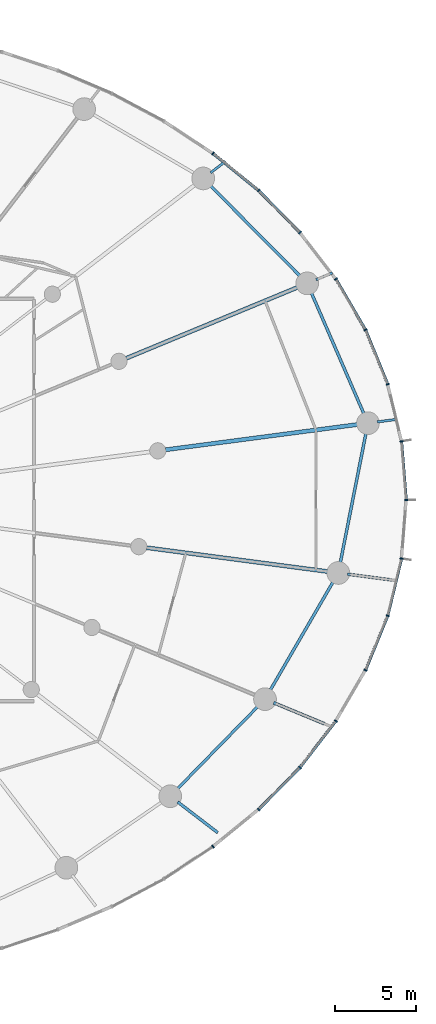
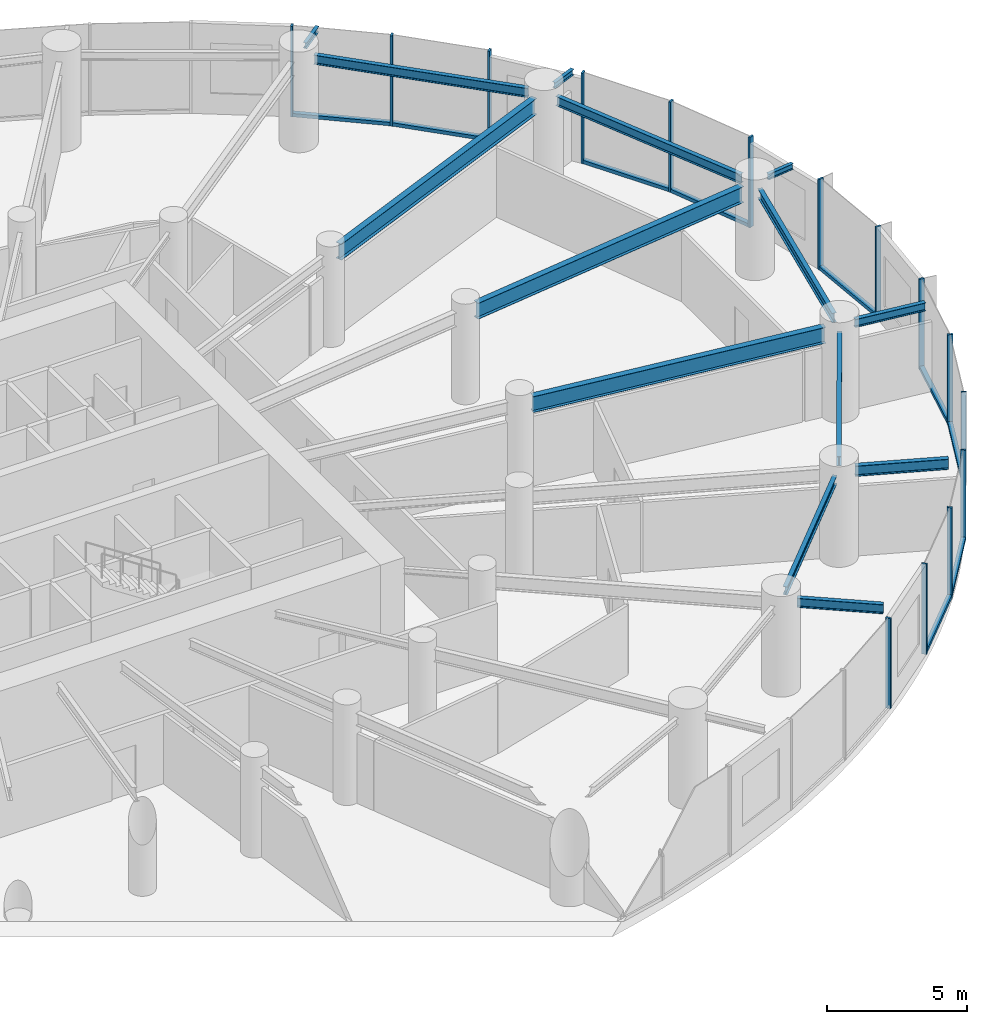
# One storey, part 8 of 19: 24 members, 14 beams, 4 elements without a shape of their own.
"""IFC4 building model written with IfcOpenShell, lengths in metres."""

from ifc_helpers import new_model, si_unit, direction, frame, origin, origin_2d, place, context, subcontext, project, spatial, rectangle, i_section, extrude, source, transform, mapped, material, layer, layer_set, material_profile, profile_set, type_object, element, aggregate, save


model = new_model("IFC4")

# Units and contexts
model_context = context("Model", 3, precision=1e-05, world=origin(), true_north=direction((0.0, 1.0)))
body_context = subcontext(model_context, "Body", "Model", "MODEL_VIEW")
ifc_project = project(units=[si_unit("LENGTHUNIT", "METRE"), si_unit("AREAUNIT", "SQUARE_METRE"), si_unit("VOLUMEUNIT", "CUBIC_METRE"), si_unit("PLANEANGLEUNIT", "RADIAN"), si_unit("MASSUNIT", "GRAM", prefix="KILO")], contexts=[model_context])

# Site, building, storey
site_placement = place(None, origin())
site = spatial("IfcSite", under=ifc_project, at=site_placement, CompositionType="ELEMENT")
building_placement = place(site_placement, origin())
building = spatial("IfcBuilding", under=site, at=building_placement, Name="Spindrift Exchange Tower", CompositionType="ELEMENT")
storey_placement = place(building_placement, frame((0.0, 0.0, 22.60009765625)))
storey = spatial("IfcBuildingStorey", under=building, at=storey_placement, Name="L05", CompositionType="ELEMENT", Elevation=22.60009765625)

# Beams
ifc_material_1 = material(Name="Steel Grade 300", Category="steel")
ifc_material_profile_1 = material_profile(ifc_material_1, i_section(OverallWidth=0.25, OverallDepth=0.699951171875, WebThickness=0.008056640625, FlangeThickness=0.011962890625, at=origin_2d()), Name="700WB115")
ifc_profile_set_1 = profile_set([ifc_material_profile_1], Name="Steel Grade 300")
beam_type_1 = type_object("IfcBeamType", Name="Floor Beam 700WB115 Steel Grade 300", PredefinedType="BEAM", material=ifc_profile_set_1)
shared_shape_1 = source(origin(), body_context, "Body", "SweptSolid", [
    extrude(i_section(OverallWidth=0.25, OverallDepth=0.699951171875, WebThickness=0.008056640625, FlangeThickness=0.011962890625, at=origin_2d()), origin(), (0.0, 0.0, 1.0), 12.00830078125),
])
beam_1_placement = place(storey_placement, frame((75.509765625, 51.09521484375, 3.599853515625), z_axis=(0.991444950947, 0.130525511844, 0.0), x_axis=(-0.130525511844, 0.991444950947, 0.0)))
element("IfcBeam", 1, at=beam_1_placement, inside=storey, type_object=beam_type_1, Name="L05 radial beam R01B", PredefinedType="BEAM", context=body_context, shape_type="MappedRepresentation", body=[
    mapped(shared_shape_1, transform((0.0, 0.0, 0.0), scale=1.0)),
])
shared_shape_2 = source(origin(), body_context, "Body", "SweptSolid", [
    extrude(i_section(OverallWidth=0.25, OverallDepth=0.699951171875, WebThickness=0.008056640625, FlangeThickness=0.011962890625, at=origin_2d()), origin(), (0.0, 0.0, 1.0), 11.505859375),
])
beam_2_placement = place(storey_placement, frame((73.082763671875, 56.73291015625, 3.599853515625), z_axis=(0.923881578419, 0.38267849307, 0.0), x_axis=(-0.38267849307, 0.923881578419, 0.0)))
element("IfcBeam", 2, at=beam_2_placement, inside=storey, type_object=beam_type_1, Name="L05 radial beam R02B", PredefinedType="BEAM", context=body_context, shape_type="MappedRepresentation", body=[
    mapped(shared_shape_2, transform((0.0, 0.0, 0.0), scale=1.0)),
])
shared_shape_3 = source(origin(), body_context, "Body", "SweptSolid", [
    extrude(i_section(OverallWidth=0.25, OverallDepth=0.699951171875, WebThickness=0.008056640625, FlangeThickness=0.011962890625, at=origin_2d()), origin(), (0.0, 0.0, 1.0), 11.34423828125),
])
beam_3_placement = place(storey_placement, frame((74.339111328125, 45.05908203125, 3.599853515625), z_axis=(0.991444770187, -0.130526884848, 0.0), x_axis=(0.130526884848, 0.991444770187, 0.0)))
element("IfcBeam", 3, at=beam_3_placement, inside=storey, type_object=beam_type_1, Name="L05 radial beam R24B", PredefinedType="BEAM", context=body_context, shape_type="MappedRepresentation", body=[
    mapped(shared_shape_3, transform((0.0, 0.0, 0.0), scale=1.0)),
])
ifc_material_profile_2 = material_profile(ifc_material_1, i_section(OverallWidth=0.177978515625, OverallDepth=0.406005859375, WebThickness=0.0078125, FlangeThickness=0.0126953125, FilletRadius=0.013916015625, at=origin_2d()), Name="410UB59.7")
ifc_profile_set_2 = profile_set([ifc_material_profile_2], Name="Steel Grade 300")
beam_type_2 = type_object("IfcBeamType", Name="Edge Beam 410UB59.7 Steel Grade 300", PredefinedType="SPANDREL", material=ifc_profile_set_2)
shared_shape_4 = source(origin(), body_context, "Body", "SweptSolid", [
    extrude(i_section(OverallWidth=0.177978515625, OverallDepth=0.406005859375, WebThickness=0.0078125, FlangeThickness=0.0126953125, FilletRadius=0.013916015625, at=origin_2d()), origin(), (0.0, 0.0, 1.0), 8.23681640625),
])
beam_4_placement = place(storey_placement, frame((87.759521484375, 53.270263671875, 3.746826171875), z_axis=(-0.398186298756, 0.91730456855, 0.0), x_axis=(-0.91730456855, -0.398186298756, 0.0)))
element("IfcBeam", 4, at=beam_4_placement, inside=storey, type_object=beam_type_2, Name="L05 edge beam E01", PredefinedType="SPANDREL", context=body_context, shape_type="MappedRepresentation", body=[
    mapped(shared_shape_4, transform((0.0, 0.0, 0.0), scale=1.0)),
])
shared_shape_5 = source(origin(), body_context, "Body", "SweptSolid", [
    extrude(i_section(OverallWidth=0.177978515625, OverallDepth=0.406005859375, WebThickness=0.0078125, FlangeThickness=0.0126953125, FilletRadius=0.013916015625, at=origin_2d()), origin(), (0.0, 0.0, 1.0), 7.947509765625),
])
beam_5_placement = place(storey_placement, frame((83.840576171875, 61.769775390625, 3.746826171875), z_axis=(-0.704197895271, 0.710003749494, 0.0), x_axis=(-0.710003749494, -0.704197895271, 0.0)))
element("IfcBeam", 5, at=beam_5_placement, inside=storey, type_object=beam_type_2, Name="L05 edge beam E02", PredefinedType="SPANDREL", context=body_context, shape_type="MappedRepresentation", body=[
    mapped(shared_shape_5, transform((0.0, 0.0, 0.0), scale=1.0)),
])
ifc_material_profile_3 = material_profile(ifc_material_1, i_section(OverallWidth=0.172119140625, OverallDepth=0.35888671875, WebThickness=0.008056640625, FlangeThickness=0.012939453125, FilletRadius=0.013916015625, at=origin_2d()), Name="360UB56.7")
ifc_profile_set_3 = profile_set([ifc_material_profile_3], Name="Steel Grade 300")
beam_type_3 = type_object("IfcBeamType", Name="Edge Beam 360UB56.7 Steel Grade 300", PredefinedType="SPANDREL", material=ifc_profile_set_3)
shared_shape_6 = source(origin(), body_context, "Body", "SweptSolid", [
    extrude(i_section(OverallWidth=0.172119140625, OverallDepth=0.35888671875, WebThickness=0.008056640625, FlangeThickness=0.012939453125, FilletRadius=0.013916015625, at=origin_2d()), origin(), (0.0, 0.0, 1.0), 7.2041015625),
])
beam_6_placement = place(storey_placement, frame((76.205810546875, 30.152099609375, 3.7705078125), z_axis=(0.698703626006, 0.715411240481, 0.0), x_axis=(-0.715411240481, 0.698703626006, 0.0)))
element("IfcBeam", 6, at=beam_6_placement, inside=storey, type_object=beam_type_3, Name="L05 edge beam E22", PredefinedType="SPANDREL", context=body_context, shape_type="MappedRepresentation", body=[
    mapped(shared_shape_6, transform((0.0, 0.0, 0.0), scale=1.0)),
])
shared_shape_7 = source(origin(), body_context, "Body", "SweptSolid", [
    extrude(i_section(OverallWidth=0.177978515625, OverallDepth=0.406005859375, WebThickness=0.0078125, FlangeThickness=0.0126953125, FilletRadius=0.013916015625, at=origin_2d()), origin(), (0.0, 0.0, 1.0), 7.837646484375),
])
beam_7_placement = place(storey_placement, frame((81.935791015625, 36.222412109375, 3.746826171875), z_axis=(0.50198145655, 0.864878382942, 0.0), x_axis=(-0.864878382942, 0.50198145655, 0.0)))
element("IfcBeam", 7, at=beam_7_placement, inside=storey, type_object=beam_type_2, Name="L05 edge beam E23", PredefinedType="SPANDREL", context=body_context, shape_type="MappedRepresentation", body=[
    mapped(shared_shape_7, transform((0.0, 0.0, 0.0), scale=1.0)),
])
shared_shape_8 = source(origin(), body_context, "Body", "SweptSolid", [
    extrude(i_section(OverallWidth=0.177978515625, OverallDepth=0.406005859375, WebThickness=0.0078125, FlangeThickness=0.0126953125, FilletRadius=0.013916015625, at=origin_2d()), origin(), (0.0, 0.0, 1.0), 8.2548828125),
])
beam_8_placement = place(storey_placement, frame((86.27392578125, 44.071533203125, 3.746826171875), z_axis=(0.194278723288, 0.9809463684, 0.0), x_axis=(-0.9809463684, 0.194278723288, 0.0)))
element("IfcBeam", 8, at=beam_8_placement, inside=storey, type_object=beam_type_2, Name="L05 edge beam E24", PredefinedType="SPANDREL", context=body_context, shape_type="MappedRepresentation", body=[
    mapped(shared_shape_8, transform((0.0, 0.0, 0.0), scale=1.0)),
])
ifc_material_profile_4 = material_profile(ifc_material_1, i_section(OverallWidth=0.14599609375, OverallDepth=0.251953125, WebThickness=0.006103515625, FlangeThickness=0.008544921875, FilletRadius=0.011962890625, at=origin_2d()), Name="250UB31.4")
ifc_profile_set_4 = profile_set([ifc_material_profile_4], Name="Steel Grade 300")
beam_type_4 = type_object("IfcBeamType", Name="Cantilever Beam 250UB31.4 Steel Grade 300", PredefinedType="BEAM", material=ifc_profile_set_4)
shared_shape_9 = source(origin(), body_context, "Body", "SweptSolid", [
    extrude(i_section(OverallWidth=0.14599609375, OverallDepth=0.251953125, WebThickness=0.006103515625, FlangeThickness=0.008544921875, FilletRadius=0.011962890625, at=origin_2d()), origin(), (0.0, 0.0, 1.0), 1.11181640625),
])
beam_9_placement = place(storey_placement, frame((88.5654296875, 52.81396484375, 3.823974609375), z_axis=(0.991456537653, 0.130437471399, 0.0), x_axis=(-0.130437471399, 0.991456537653, 0.0)))
element("IfcBeam", 9, at=beam_9_placement, inside=storey, type_object=beam_type_4, Name="L05 cantilever beam R01T", PredefinedType="BEAM", context=body_context, shape_type="MappedRepresentation", body=[
    mapped(shared_shape_9, transform((0.0, 0.0, 0.0), scale=1.0)),
])
shared_shape_10 = source(origin(), body_context, "Body", "SweptSolid", [
    extrude(i_section(OverallWidth=0.14599609375, OverallDepth=0.251953125, WebThickness=0.006103515625, FlangeThickness=0.008544921875, FilletRadius=0.011962890625, at=origin_2d()), origin(), (0.0, 0.0, 1.0), 1.09375),
])
beam_10_placement = place(storey_placement, frame((84.78466796875, 61.579833984375, 3.823974609375), z_axis=(0.92391345962, 0.382601514808, 0.0), x_axis=(-0.382601514808, 0.92391345962, 0.0)))
element("IfcBeam", 10, at=beam_10_placement, inside=storey, type_object=beam_type_4, Name="L05 cantilever beam R02T", PredefinedType="BEAM", context=body_context, shape_type="MappedRepresentation", body=[
    mapped(shared_shape_10, transform((0.0, 0.0, 0.0), scale=1.0)),
])
shared_shape_11 = source(origin(), body_context, "Body", "SweptSolid", [
    extrude(i_section(OverallWidth=0.14599609375, OverallDepth=0.251953125, WebThickness=0.006103515625, FlangeThickness=0.008544921875, FilletRadius=0.011962890625, at=origin_2d()), origin(), (0.0, 0.0, 1.0), 1.1494140625),
])
beam_11_placement = place(storey_placement, frame((78.295654296875, 68.177490234375, 3.823974609375), z_axis=(0.793349883142, 0.608765934427, 0.0), x_axis=(-0.608765934427, 0.793349883142, 0.0)))
element("IfcBeam", 11, at=beam_11_placement, inside=storey, type_object=beam_type_4, Name="L05 cantilever beam R03T", PredefinedType="BEAM", context=body_context, shape_type="MappedRepresentation", body=[
    mapped(shared_shape_11, transform((0.0, 0.0, 0.0), scale=1.0)),
])
ifc_material_profile_5 = material_profile(ifc_material_1, i_section(OverallWidth=0.177978515625, OverallDepth=0.406005859375, WebThickness=0.0078125, FlangeThickness=0.0126953125, FilletRadius=0.013916015625, at=origin_2d()), Name="410UB59.7")
ifc_profile_set_5 = profile_set([ifc_material_profile_5], Name="Steel Grade 300")
beam_type_5 = type_object("IfcBeamType", Name="Cantilever Beam 410UB59.7 Steel Grade 300", PredefinedType="BEAM", material=ifc_profile_set_5)
shared_shape_12 = source(origin(), body_context, "Body", "SweptSolid", [
    extrude(i_section(OverallWidth=0.177978515625, OverallDepth=0.406005859375, WebThickness=0.0078125, FlangeThickness=0.0126953125, FilletRadius=0.013916015625, at=origin_2d()), origin(), (0.0, 0.0, 1.0), 3.114501953125),
])
beam_12_placement = place(storey_placement, frame((76.2607421875, 29.384033203125, 3.746826171875), z_axis=(0.793395606954, -0.608706342061, 0.0), x_axis=(0.608706342061, 0.793395606954, 0.0)))
element("IfcBeam", 12, at=beam_12_placement, inside=storey, type_object=beam_type_5, Name="L05 cantilever beam R22T", PredefinedType="BEAM", context=body_context, shape_type="MappedRepresentation", body=[
    mapped(shared_shape_12, transform((0.0, 0.0, 0.0), scale=1.0)),
])
ifc_material_profile_6 = material_profile(ifc_material_1, i_section(OverallWidth=0.18994140625, OverallDepth=0.45703125, WebThickness=0.009033203125, FlangeThickness=0.014404296875, FilletRadius=0.013916015625, at=origin_2d()), Name="460UB74.6")
ifc_profile_set_6 = profile_set([ifc_material_profile_6], Name="Steel Grade 300")
beam_type_6 = type_object("IfcBeamType", Name="Cantilever Beam 460UB74.6 Steel Grade 300", PredefinedType="BEAM", material=ifc_profile_set_6)
shared_shape_13 = source(origin(), body_context, "Body", "SweptSolid", [
    extrude(i_section(OverallWidth=0.18994140625, OverallDepth=0.45703125, WebThickness=0.009033203125, FlangeThickness=0.014404296875, FilletRadius=0.013916015625, at=origin_2d()), origin(), (0.0, 0.0, 1.0), 3.376953125),
])
beam_13_placement = place(storey_placement, frame((82.180419921875, 35.498779296875, 3.721435546875), z_axis=(0.923885542114, -0.382668923578, 0.0), x_axis=(0.382668923578, 0.923885542114, 0.0)))
element("IfcBeam", 13, at=beam_13_placement, inside=storey, type_object=beam_type_6, Name="L05 cantilever beam R23T", PredefinedType="BEAM", context=body_context, shape_type="MappedRepresentation", body=[
    mapped(shared_shape_13, transform((0.0, 0.0, 0.0), scale=1.0)),
])
ifc_material_profile_7 = material_profile(ifc_material_1, i_section(OverallWidth=0.172119140625, OverallDepth=0.35888671875, WebThickness=0.008056640625, FlangeThickness=0.012939453125, FilletRadius=0.013916015625, at=origin_2d()), Name="360UB56.7")
ifc_profile_set_7 = profile_set([ifc_material_profile_7], Name="Steel Grade 300")
beam_type_7 = type_object("IfcBeamType", Name="Cantilever Beam 360UB56.7 Steel Grade 300", PredefinedType="BEAM", material=ifc_profile_set_7)
shared_shape_14 = source(origin(), body_context, "Body", "SweptSolid", [
    extrude(i_section(OverallWidth=0.172119140625, OverallDepth=0.35888671875, WebThickness=0.008056640625, FlangeThickness=0.012939453125, FilletRadius=0.013916015625, at=origin_2d()), origin(), (0.0, 0.0, 1.0), 2.73486328125),
])
beam_14_placement = place(storey_placement, frame((86.736083984375, 43.427001953125, 3.7705078125), z_axis=(0.991446393615, -0.130514553166, 0.0), x_axis=(0.130514553166, 0.991446393615, 0.0)))
element("IfcBeam", 14, at=beam_14_placement, inside=storey, type_object=beam_type_7, Name="L05 cantilever beam R24T", PredefinedType="BEAM", context=body_context, shape_type="MappedRepresentation", body=[
    mapped(shared_shape_14, transform((0.0, 0.0, 0.0), scale=1.0)),
])

# Curtain wall, members
ifc_material_2 = material(Name="Fritted laminated glass with bronze frame", Category="glass")
ifc_layer = layer(ifc_material_2, 0.199951171875)
ifc_layer_set = layer_set([ifc_layer], Name="ZONE 1 BRONZE FRITTED WALL")
curtain_wall_type = type_object("IfcCurtainWallType", Name="ZONE 1 BRONZE FRITTED WALL", PredefinedType="NOTDEFINED", material=ifc_layer_set)
curtain_wall_1_placement = place(storey_placement, origin())
curtain_wall_1 = element("IfcCurtainWall", 15, at=curtain_wall_1_placement, inside=storey, type_object=curtain_wall_type, Name="L05 Zone 1 Bronze Fritted Wall run 1", PredefinedType="NOTDEFINED")
ifc_material_3 = material(Name="Bronze anodised aluminium", Category="aluminium")
ifc_material_profile_8 = material_profile(ifc_material_3, rectangle(XDim=0.080078125, YDim=0.199951171875, at=origin_2d()), Name="ZONE 1 BRONZE FRITTED WALL MULLION 80X200")
ifc_profile_set_8 = profile_set([ifc_material_profile_8], Name="Bronze anodised aluminium")
member_type_1 = type_object("IfcMemberType", Name="ZONE 1 BRONZE FRITTED WALL MULLION 80X200", PredefinedType="MULLION", material=ifc_profile_set_8)
shared_shape_15 = source(origin(), body_context, "Body", "SweptSolid", [
    extrude(rectangle(XDim=0.080078125, YDim=0.199951171875, at=origin_2d()), origin(), (0.0, 0.0, 1.0), 3.949951171875),
])
member_1_placement = place(storey_placement, frame((90.35009765625, 48.0, 0.0), z_axis=(0.0, 0.0, 1.0), x_axis=(0.0, 1.0, 0.0)))
member_1 = element("IfcMember", 16, at=member_1_placement, type_object=member_type_1, Name="L05 mullion CW-1.1", PredefinedType="MULLION", context=body_context, shape_type="MappedRepresentation", body=[
    mapped(shared_shape_15, transform((0.0, 0.0, 0.0), scale=1.0)),
])
member_2_placement = place(storey_placement, frame((90.061279296875, 51.61279296875, 0.0), z_axis=(0.0, 0.0, 1.0), x_axis=(-0.157610200296, 0.987501404942, 0.0)))
member_2 = element("IfcMember", 17, at=member_2_placement, type_object=member_type_1, Name="L05 mullion CW-1.2", PredefinedType="MULLION", context=body_context, shape_type="MappedRepresentation", body=[
    mapped(shared_shape_15, transform((0.0, 0.0, 0.0), scale=1.0)),
])
member_3_placement = place(storey_placement, frame((89.2109375, 55.13623046875, 0.0), z_axis=(0.0, 0.0, 1.0), x_axis=(-0.306991040816, 0.951712404489, 0.0)))
member_3 = element("IfcMember", 18, at=member_3_placement, type_object=member_type_1, Name="L05 mullion CW-1.3", PredefinedType="MULLION", context=body_context, shape_type="MappedRepresentation", body=[
    mapped(shared_shape_15, transform((0.0, 0.0, 0.0), scale=1.0)),
])
member_4_placement = place(storey_placement, frame((87.842041015625, 58.492919921875, 0.0), z_axis=(0.0, 0.0, 1.0), x_axis=(-0.441893107897, 0.897067712714, 0.0)))
member_4 = element("IfcMember", 19, at=member_4_placement, type_object=member_type_1, Name="L05 mullion CW-1.4", PredefinedType="MULLION", context=body_context, shape_type="MappedRepresentation", body=[
    mapped(shared_shape_15, transform((0.0, 0.0, 0.0), scale=1.0)),
])
member_5_placement = place(storey_placement, frame((86.014892578125, 61.624267578125, 0.0), z_axis=(0.0, 0.0, 1.0), x_axis=(-0.5590392146, 0.829141216283, 0.0)))
member_5 = element("IfcMember", 20, at=member_5_placement, type_object=member_type_1, Name="L05 mullion CW-1.5", PredefinedType="MULLION", context=body_context, shape_type="MappedRepresentation", body=[
    mapped(shared_shape_15, transform((0.0, 0.0, 0.0), scale=1.0)),
])
member_6_placement = place(storey_placement, frame((83.796875, 64.492431640625, 0.0), z_axis=(0.0, 0.0, 1.0), x_axis=(-0.657861656686, 0.753138792429, 0.0)))
member_6 = element("IfcMember", 21, at=member_6_placement, type_object=member_type_1, Name="L05 mullion CW-1.6", PredefinedType="MULLION", context=body_context, shape_type="MappedRepresentation", body=[
    mapped(shared_shape_15, transform((0.0, 0.0, 0.0), scale=1.0)),
])

curtain_wall_2_placement = place(storey_placement, origin())
curtain_wall_2 = element("IfcCurtainWall", 22, at=curtain_wall_2_placement, inside=storey, type_object=curtain_wall_type, Name="L05 Zone 1 Bronze Fritted Wall run 2", PredefinedType="NOTDEFINED")
member_7_placement = place(storey_placement, frame((81.252685546875, 67.076416015625, 0.0), z_axis=(0.0, 0.0, 1.0), x_axis=(-0.739527857689, 0.673125952331, 0.0)))
member_7 = element("IfcMember", 23, at=member_7_placement, type_object=member_type_1, Name="L05 mullion CW-1.7", PredefinedType="MULLION", context=body_context, shape_type="MappedRepresentation", body=[
    mapped(shared_shape_15, transform((0.0, 0.0, 0.0), scale=1.0)),
])
member_8_placement = place(storey_placement, frame((78.441162109375, 69.3671875, 0.0), z_axis=(0.0, 0.0, 1.0), x_axis=(-0.806035251787, 0.591867529838, 0.0)))
member_8 = element("IfcMember", 24, at=member_8_placement, type_object=member_type_1, Name="L05 mullion CW-1.8", PredefinedType="MULLION", context=body_context, shape_type="MappedRepresentation", body=[
    mapped(shared_shape_15, transform((0.0, 0.0, 0.0), scale=1.0)),
])

curtain_wall_3_placement = place(storey_placement, origin())
curtain_wall_3 = element("IfcCurtainWall", 25, at=curtain_wall_3_placement, inside=storey, type_object=curtain_wall_type, Name="L05 Zone 1 Bronze Fritted Wall run 9", PredefinedType="NOTDEFINED")
member_9_placement = place(storey_placement, frame((78.441162109375, 26.6328125, 0.0), z_axis=(0.0, 0.0, 1.0), x_axis=(0.806035251787, 0.591867529838, 0.0)))
member_9 = element("IfcMember", 26, at=member_9_placement, type_object=member_type_1, Name="L05 mullion CW-1.53", PredefinedType="MULLION", context=body_context, shape_type="MappedRepresentation", body=[
    mapped(shared_shape_15, transform((0.0, 0.0, 0.0), scale=1.0)),
])
member_10_placement = place(storey_placement, frame((81.252685546875, 28.923583984375, 0.0), z_axis=(0.0, 0.0, 1.0), x_axis=(0.739527857689, 0.673125952331, 0.0)))
member_10 = element("IfcMember", 27, at=member_10_placement, type_object=member_type_1, Name="L05 mullion CW-1.54", PredefinedType="MULLION", context=body_context, shape_type="MappedRepresentation", body=[
    mapped(shared_shape_15, transform((0.0, 0.0, 0.0), scale=1.0)),
])

curtain_wall_4_placement = place(storey_placement, origin())
curtain_wall_4 = element("IfcCurtainWall", 28, at=curtain_wall_4_placement, inside=storey, type_object=curtain_wall_type, Name="L05 Zone 1 Bronze Fritted Wall run 10", PredefinedType="NOTDEFINED")
member_11_placement = place(storey_placement, frame((83.796875, 31.507568359375, 0.0), z_axis=(0.0, 0.0, 1.0), x_axis=(0.657861656686, 0.753138792429, 0.0)))
member_11 = element("IfcMember", 29, at=member_11_placement, type_object=member_type_1, Name="L05 mullion CW-1.55", PredefinedType="MULLION", context=body_context, shape_type="MappedRepresentation", body=[
    mapped(shared_shape_15, transform((0.0, 0.0, 0.0), scale=1.0)),
])
member_12_placement = place(storey_placement, frame((86.014892578125, 34.375732421875, 0.0), z_axis=(0.0, 0.0, 1.0), x_axis=(0.5590392146, 0.829141216283, 0.0)))
member_12 = element("IfcMember", 30, at=member_12_placement, type_object=member_type_1, Name="L05 mullion CW-1.56", PredefinedType="MULLION", context=body_context, shape_type="MappedRepresentation", body=[
    mapped(shared_shape_15, transform((0.0, 0.0, 0.0), scale=1.0)),
])
member_13_placement = place(storey_placement, frame((87.842041015625, 37.507080078125, 0.0), z_axis=(0.0, 0.0, 1.0), x_axis=(0.441893107897, 0.897067712714, 0.0)))
member_13 = element("IfcMember", 31, at=member_13_placement, type_object=member_type_1, Name="L05 mullion CW-1.57", PredefinedType="MULLION", context=body_context, shape_type="MappedRepresentation", body=[
    mapped(shared_shape_15, transform((0.0, 0.0, 0.0), scale=1.0)),
])
member_14_placement = place(storey_placement, frame((89.2109375, 40.86376953125, 0.0), z_axis=(0.0, 0.0, 1.0), x_axis=(0.306991040816, 0.951712404489, 0.0)))
member_14 = element("IfcMember", 32, at=member_14_placement, type_object=member_type_1, Name="L05 mullion CW-1.58", PredefinedType="MULLION", context=body_context, shape_type="MappedRepresentation", body=[
    mapped(shared_shape_15, transform((0.0, 0.0, 0.0), scale=1.0)),
])
member_15_placement = place(storey_placement, frame((90.061279296875, 44.38720703125, 0.0), z_axis=(0.0, 0.0, 1.0), x_axis=(0.157610200296, 0.987501404942, 0.0)))
member_15 = element("IfcMember", 33, at=member_15_placement, type_object=member_type_1, Name="L05 mullion CW-1.59", PredefinedType="MULLION", context=body_context, shape_type="MappedRepresentation", body=[
    mapped(shared_shape_15, transform((0.0, 0.0, 0.0), scale=1.0)),
])

# Member
ifc_material_profile_9 = material_profile(ifc_material_3, rectangle(XDim=0.179931640625, YDim=0.14990234375, at=origin_2d()), Name="ZONE 1 BRONZE FRITTED WALL TRANSOM 180X150")
ifc_profile_set_9 = profile_set([ifc_material_profile_9], Name="Bronze anodised aluminium")
member_type_2 = type_object("IfcMemberType", Name="ZONE 1 BRONZE FRITTED WALL TRANSOM 180X150", PredefinedType="USERDEFINED", material=ifc_profile_set_9)
shared_shape_16 = source(origin(), body_context, "Body", "SweptSolid", [
    extrude(rectangle(XDim=0.179931640625, YDim=0.14990234375, at=origin_2d()), origin(), (0.0, 0.0, 1.0), 3.54443359375),
])
member_16_placement = place(storey_placement, frame((90.346923828125, 48.039794921875, 0.074951171875), z_axis=(-0.079693206898, 0.996819438401, 0.0), x_axis=(-0.996819438401, -0.079693206898, 0.0)))
member_16 = element("IfcMember", 34, at=member_16_placement, type_object=member_type_2, Name="L05 transom CW-1.1", ObjectType="TRANSOM", PredefinedType="USERDEFINED", context=body_context, shape_type="MappedRepresentation", body=[
    mapped(shared_shape_16, transform((0.0, 0.0, 0.0), scale=1.0)),
])

member_17_placement = place(storey_placement, frame((89.220458984375, 40.902587890625, 0.074951171875), z_axis=(0.234602378519, 0.972091417508, 0.0), x_axis=(-0.972091417508, 0.234602378519, 0.0)))
member_17 = element("IfcMember", 35, at=member_17_placement, type_object=member_type_2, Name="L05 transom CW-1.58", ObjectType="TRANSOM", PredefinedType="USERDEFINED", context=body_context, shape_type="MappedRepresentation", body=[
    mapped(shared_shape_16, transform((0.0, 0.0, 0.0), scale=1.0)),
])

shared_shape_17 = source(origin(), body_context, "Body", "SweptSolid", [
    extrude(rectangle(XDim=0.179931640625, YDim=0.14990234375, at=origin_2d()), origin(), (0.0, 0.0, 1.0), 3.544921875),
])
member_18_placement = place(storey_placement, frame((89.19580078125, 55.17333984375, 0.074951171875), z_axis=(-0.377616261362, 0.925962180197, 0.0), x_axis=(-0.925962180197, -0.377616261362, 0.0)))
member_18 = element("IfcMember", 36, at=member_18_placement, type_object=member_type_2, Name="L05 transom CW-1.3", ObjectType="TRANSOM", PredefinedType="USERDEFINED", context=body_context, shape_type="MappedRepresentation", body=[
    mapped(shared_shape_17, transform((0.0, 0.0, 0.0), scale=1.0)),
])

member_19_placement = place(storey_placement, frame((87.857177734375, 37.544189453125, 0.074951171875), z_axis=(0.377616261362, 0.925962180197, 0.0), x_axis=(-0.925962180197, 0.377616261362, 0.0)))
member_19 = element("IfcMember", 37, at=member_19_placement, type_object=member_type_2, Name="L05 transom CW-1.57", ObjectType="TRANSOM", PredefinedType="USERDEFINED", context=body_context, shape_type="MappedRepresentation", body=[
    mapped(shared_shape_17, transform((0.0, 0.0, 0.0), scale=1.0)),
])

shared_shape_18 = source(origin(), body_context, "Body", "SweptSolid", [
    extrude(rectangle(XDim=0.179931640625, YDim=0.14990234375, at=origin_2d()), origin(), (0.0, 0.0, 1.0), 3.545654296875),
])
member_20_placement = place(storey_placement, frame((87.82177734375, 58.52734375, 0.074951171875), z_axis=(-0.503905275905, 0.8637589206, 0.0), x_axis=(-0.8637589206, -0.503905275905, 0.0)))
member_20 = element("IfcMember", 38, at=member_20_placement, type_object=member_type_2, Name="L05 transom CW-1.4", ObjectType="TRANSOM", PredefinedType="USERDEFINED", context=body_context, shape_type="MappedRepresentation", body=[
    mapped(shared_shape_18, transform((0.0, 0.0, 0.0), scale=1.0)),
])

shared_shape_19 = source(origin(), body_context, "Body", "SweptSolid", [
    extrude(rectangle(XDim=0.179931640625, YDim=0.14990234375, at=origin_2d()), origin(), (0.0, 0.0, 1.0), 3.546142578125),
])
member_21_placement = place(storey_placement, frame((83.768798828125, 64.52099609375, 0.074951171875), z_axis=(-0.701612319903, 0.712558876557, 0.0), x_axis=(-0.712558876557, -0.701612319903, 0.0)))
member_21 = element("IfcMember", 39, at=member_21_placement, type_object=member_type_2, Name="L05 transom CW-1.6", ObjectType="TRANSOM", PredefinedType="USERDEFINED", context=body_context, shape_type="MappedRepresentation", body=[
    mapped(shared_shape_19, transform((0.0, 0.0, 0.0), scale=1.0)),
])

aggregate(curtain_wall_1, [member_1, member_16, member_2, member_3, member_18, member_4, member_20, member_5, member_6, member_21])

member_22_placement = place(storey_placement, frame((81.28076171875, 28.9521484375, 0.074951171875), z_axis=(0.701612319903, 0.712558876557, 0.0), x_axis=(-0.712558876557, 0.701612319903, 0.0)))
member_22 = element("IfcMember", 40, at=member_22_placement, type_object=member_type_2, Name="L05 transom CW-1.54", ObjectType="TRANSOM", PredefinedType="USERDEFINED", context=body_context, shape_type="MappedRepresentation", body=[
    mapped(shared_shape_19, transform((0.0, 0.0, 0.0), scale=1.0)),
])

aggregate(curtain_wall_3, [member_9, member_10, member_22])

shared_shape_20 = source(origin(), body_context, "Body", "SweptSolid", [
    extrude(rectangle(XDim=0.179931640625, YDim=0.14990234375, at=origin_2d()), origin(), (0.0, 0.0, 1.0), 3.546875),
])
member_23_placement = place(storey_placement, frame((81.2216796875, 67.1015625, 0.074951171875), z_axis=(-0.77521625851, 0.631695933612, 0.0), x_axis=(-0.631695933612, -0.77521625851, 0.0)))
member_23 = element("IfcMember", 41, at=member_23_placement, type_object=member_type_2, Name="L05 transom CW-1.7", ObjectType="TRANSOM", PredefinedType="USERDEFINED", context=body_context, shape_type="MappedRepresentation", body=[
    mapped(shared_shape_20, transform((0.0, 0.0, 0.0), scale=1.0)),
])

aggregate(curtain_wall_2, [member_7, member_23, member_8])

shared_shape_21 = source(origin(), body_context, "Body", "SweptSolid", [
    extrude(rectangle(XDim=0.179931640625, YDim=0.14990234375, at=origin_2d()), origin(), (0.0, 0.0, 1.0), 3.5458984375),
])
member_24_placement = place(storey_placement, frame((83.8212890625, 31.5390625, 0.074951171875), z_axis=(0.611755109176, 0.791047208703, 0.0), x_axis=(-0.791047208703, 0.611755109176, 0.0)))
member_24 = element("IfcMember", 42, at=member_24_placement, type_object=member_type_2, Name="L05 transom CW-1.55", ObjectType="TRANSOM", PredefinedType="USERDEFINED", context=body_context, shape_type="MappedRepresentation", body=[
    mapped(shared_shape_21, transform((0.0, 0.0, 0.0), scale=1.0)),
])

aggregate(curtain_wall_4, [member_11, member_24, member_12, member_13, member_19, member_14, member_17, member_15])

save(model, "model.ifc")
